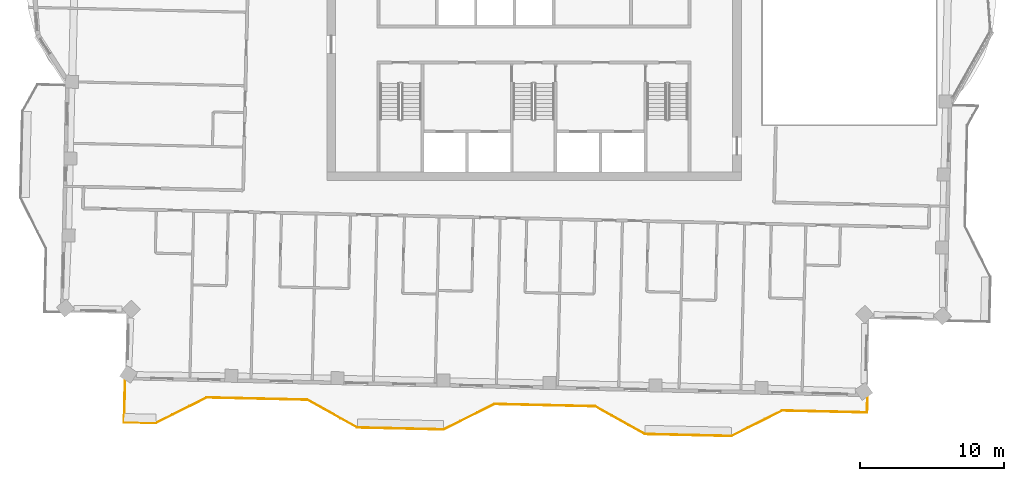
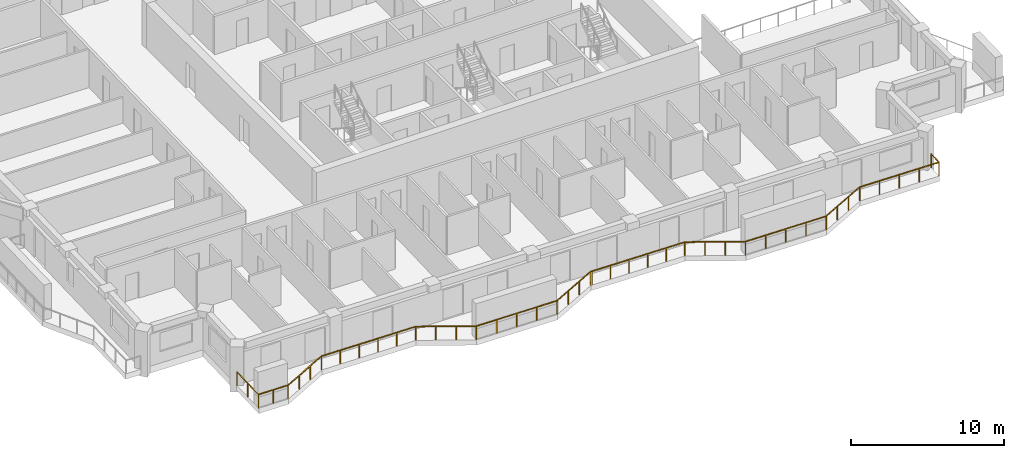
# One storey, part 13 of 15: 1 railing.
"""IFC4 building model written with IfcOpenShell, lengths in metres."""

from ifc_helpers import new_model, si_unit, direction, frame, origin, origin_2d, place, context, subcontext, project, spatial, rectangle, extrude, material, type_object, element, save


model = new_model("IFC4")

# Units and contexts
model_context = context("Model", 3, precision=1e-05, world=origin(), true_north=direction((0.0, 1.0)))
body_context = subcontext(model_context, "Body", "Model", "MODEL_VIEW")
ifc_project = project(units=[si_unit("LENGTHUNIT", "METRE"), si_unit("AREAUNIT", "SQUARE_METRE"), si_unit("VOLUMEUNIT", "CUBIC_METRE"), si_unit("PLANEANGLEUNIT", "RADIAN"), si_unit("MASSUNIT", "GRAM", prefix="KILO")], contexts=[model_context])

# Site, building, storey
site_placement = place(None, origin())
site = spatial("IfcSite", under=ifc_project, at=site_placement, CompositionType="ELEMENT")
building_placement = place(site_placement, origin())
building = spatial("IfcBuilding", under=site, at=building_placement, Name="Mangrove Gate Tower", CompositionType="ELEMENT")
storey_placement = place(building_placement, frame((0.0, 0.0, 309.699951171875)))
storey = spatial("IfcBuildingStorey", under=building, at=storey_placement, Name="L79", CompositionType="ELEMENT", Elevation=309.699951171875)

# Railing
ifc_material = material(Name="Stainless steel grade 316 with laminated glass infill", Category="steel")
railing_type = type_object("IfcRailingType", Name="Balcony guard 1100", PredefinedType="GUARDRAIL", material=ifc_material)
railing_placement = place(storey_placement, frame((-28.41796875, -25.2890625, 0.0)))
element("IfcRailing", 1, at=railing_placement, inside=storey, type_object=railing_type, Name="GUARD L79 S1", PredefinedType="GUARDRAIL", context=body_context, shape_type="SweptSolid", body=[
    extrude(rectangle(XDim=0.048095703125, YDim=0.048095703125, at=origin_2d()), frame((0.0, 0.0, 1.076171875), z_axis=(-0.022654696127, -0.999743349437, 0.0), x_axis=(0.999743349437, -0.022654696127, 0.0)), (0.0, 0.0, 1.0), 2.90966796875),
    extrude(rectangle(XDim=0.048095703125, YDim=0.048095703125, at=origin_2d()), frame((-0.06591796875, -2.908935546875, 1.076171875), z_axis=(0.999741090068, -0.022754182687, 0.0), x_axis=(0.022754182687, 0.999741090068, 0.0)), (0.0, 0.0, 1.0), 2.199462890625),
    extrude(rectangle(XDim=0.048095703125, YDim=0.048095703125, at=origin_2d()), frame((2.133056640625, -2.958984375, 1.076171875), z_axis=(0.894525821107, 0.447016280881, 0.0), x_axis=(-0.447016280881, 0.894525821107, 0.0)), (0.0, 0.0, 1.0), 3.959716796875),
    extrude(rectangle(XDim=0.048095703125, YDim=0.048095703125, at=origin_2d()), frame((5.675048828125, -1.18896484375, 1.076171875), z_axis=(0.999745334946, -0.022566906176, 0.0), x_axis=(0.022566906176, 0.999745334946, 0.0)), (0.0, 0.0, 1.0), 6.99951171875),
    extrude(rectangle(XDim=0.048095703125, YDim=0.048095703125, at=origin_2d()), frame((12.6728515625, -1.346923828125, 1.076171875), z_axis=(0.87325689943, -0.48726008209, 0.0), x_axis=(0.48726008209, 0.87325689943, 0.0)), (0.0, 0.0, 1.0), 3.958740234375),
    extrude(rectangle(XDim=0.048095703125, YDim=0.048095703125, at=origin_2d()), frame((16.1298828125, -3.27587890625, 1.076171875), z_axis=(0.999743094499, -0.022665943652, 0.0), x_axis=(0.022665943652, 0.999743094499, 0.0)), (0.0, 0.0, 1.0), 5.99951171875),
    extrude(rectangle(XDim=0.048095703125, YDim=0.048095703125, at=origin_2d()), frame((22.1279296875, -3.411865234375, 1.076171875), z_axis=(0.894476522376, 0.447114919141, 0.0), x_axis=(-0.447114919141, 0.894476522376, 0.0)), (0.0, 0.0, 1.0), 3.958740234375),
    extrude(rectangle(XDim=0.048095703125, YDim=0.048095703125, at=origin_2d()), frame((25.6689453125, -1.641845703125, 1.076171875), z_axis=(0.999497701731, -0.031691390543, 0.0), x_axis=(0.031691390543, 0.999497701731, 0.0)), (0.0, 0.0, 1.0), 0.10009765625),
    extrude(rectangle(XDim=0.048095703125, YDim=0.048095703125, at=origin_2d()), frame((25.76904296875, -1.64501953125, 1.076171875), z_axis=(0.999744422651, -0.022607285939, 0.0), x_axis=(0.022607285939, 0.999744422651, 0.0)), (0.0, 0.0, 1.0), 6.900634765625),
    extrude(rectangle(XDim=0.048095703125, YDim=0.048095703125, at=origin_2d()), frame((32.66796875, -1.801025390625, 1.076171875), z_axis=(0.87325689943, -0.48726008209, 0.0), x_axis=(0.48726008209, 0.87325689943, 0.0)), (0.0, 0.0, 1.0), 3.958740234375),
    extrude(rectangle(XDim=0.048095703125, YDim=0.048095703125, at=origin_2d()), frame((36.125, -3.72998046875, 1.076171875), z_axis=(0.999743094499, -0.022665943652, 0.0), x_axis=(0.022665943652, 0.999743094499, 0.0)), (0.0, 0.0, 1.0), 5.99951171875),
    extrude(rectangle(XDim=0.048095703125, YDim=0.048095703125, at=origin_2d()), frame((42.123046875, -3.865966796875, 1.076171875), z_axis=(0.894476522376, 0.447114919141, 0.0), x_axis=(-0.447114919141, 0.894476522376, 0.0)), (0.0, 0.0, 1.0), 3.958740234375),
    extrude(rectangle(XDim=0.048095703125, YDim=0.048095703125, at=origin_2d()), frame((45.6640625, -2.095947265625, 1.076171875), z_axis=(0.999741963696, -0.022715765999, 0.0), x_axis=(0.022715765999, 0.999741963696, 0.0)), (0.0, 0.0, 1.0), 5.900390625),
    extrude(rectangle(XDim=0.048095703125, YDim=0.048095703125, at=origin_2d()), frame((51.56298828125, -2.22998046875, 1.076171875), z_axis=(0.022564497502, 0.999745389313, 0.0), x_axis=(-0.999745389313, 0.022564497502, 0.0)), (0.0, 0.0, 1.0), 1.060302734375),
    extrude(rectangle(XDim=0.0419921875, YDim=0.0419921875, at=origin_2d()), origin(), (0.0, 0.0, 1.0), 1.052001953125),
    extrude(rectangle(XDim=0.0419921875, YDim=0.0419921875, at=origin_2d()), frame((-0.032958984375, -1.45458984375, 0.0)), (0.0, 0.0, 1.0), 1.052001953125),
    extrude(rectangle(XDim=0.0419921875, YDim=0.0419921875, at=origin_2d()), frame((-0.06591796875, -2.908935546875, 0.0)), (0.0, 0.0, 1.0), 1.052001953125),
    extrude(rectangle(XDim=0.0419921875, YDim=0.0419921875, at=origin_2d()), frame((1.03369140625, -2.93408203125, 0.0)), (0.0, 0.0, 1.0), 1.052001953125),
    extrude(rectangle(XDim=0.0419921875, YDim=0.0419921875, at=origin_2d()), frame((2.133056640625, -2.958984375, 0.0)), (0.0, 0.0, 1.0), 1.052001953125),
    extrude(rectangle(XDim=0.0419921875, YDim=0.0419921875, at=origin_2d()), frame((3.313720703125, -2.368896484375, 0.0)), (0.0, 0.0, 1.0), 1.052001953125),
    extrude(rectangle(XDim=0.0419921875, YDim=0.0419921875, at=origin_2d()), frame((4.494384765625, -1.779052734375, 0.0)), (0.0, 0.0, 1.0), 1.052001953125),
    extrude(rectangle(XDim=0.0419921875, YDim=0.0419921875, at=origin_2d()), frame((5.675048828125, -1.18896484375, 0.0)), (0.0, 0.0, 1.0), 1.052001953125),
    extrude(rectangle(XDim=0.0419921875, YDim=0.0419921875, at=origin_2d()), frame((7.07470703125, -1.220458984375, 0.0)), (0.0, 0.0, 1.0), 1.052001953125),
    extrude(rectangle(XDim=0.0419921875, YDim=0.0419921875, at=origin_2d()), frame((8.47412109375, -1.252197265625, 0.0)), (0.0, 0.0, 1.0), 1.052001953125),
    extrude(rectangle(XDim=0.0419921875, YDim=0.0419921875, at=origin_2d()), frame((9.873779296875, -1.28369140625, 0.0)), (0.0, 0.0, 1.0), 1.052001953125),
    extrude(rectangle(XDim=0.0419921875, YDim=0.0419921875, at=origin_2d()), frame((11.273193359375, -1.3154296875, 0.0)), (0.0, 0.0, 1.0), 1.052001953125),
    extrude(rectangle(XDim=0.0419921875, YDim=0.0419921875, at=origin_2d()), frame((12.6728515625, -1.346923828125, 0.0)), (0.0, 0.0, 1.0), 1.052001953125),
    extrude(rectangle(XDim=0.0419921875, YDim=0.0419921875, at=origin_2d()), frame((13.8251953125, -1.989990234375, 0.0)), (0.0, 0.0, 1.0), 1.052001953125),
    extrude(rectangle(XDim=0.0419921875, YDim=0.0419921875, at=origin_2d()), frame((14.9775390625, -2.6328125, 0.0)), (0.0, 0.0, 1.0), 1.052001953125),
    extrude(rectangle(XDim=0.0419921875, YDim=0.0419921875, at=origin_2d()), frame((16.1298828125, -3.27587890625, 0.0)), (0.0, 0.0, 1.0), 1.052001953125),
    extrude(rectangle(XDim=0.0419921875, YDim=0.0419921875, at=origin_2d()), frame((17.62939453125, -3.309814453125, 0.0)), (0.0, 0.0, 1.0), 1.052001953125),
    extrude(rectangle(XDim=0.0419921875, YDim=0.0419921875, at=origin_2d()), frame((19.12890625, -3.34375, 0.0)), (0.0, 0.0, 1.0), 1.052001953125),
    extrude(rectangle(XDim=0.0419921875, YDim=0.0419921875, at=origin_2d()), frame((20.62841796875, -3.3779296875, 0.0)), (0.0, 0.0, 1.0), 1.052001953125),
    extrude(rectangle(XDim=0.0419921875, YDim=0.0419921875, at=origin_2d()), frame((22.1279296875, -3.411865234375, 0.0)), (0.0, 0.0, 1.0), 1.052001953125),
    extrude(rectangle(XDim=0.0419921875, YDim=0.0419921875, at=origin_2d()), frame((23.308349609375, -2.82177734375, 0.0)), (0.0, 0.0, 1.0), 1.052001953125),
    extrude(rectangle(XDim=0.0419921875, YDim=0.0419921875, at=origin_2d()), frame((24.488525390625, -2.23193359375, 0.0)), (0.0, 0.0, 1.0), 1.052001953125),
    extrude(rectangle(XDim=0.0419921875, YDim=0.0419921875, at=origin_2d()), frame((25.6689453125, -1.641845703125, 0.0)), (0.0, 0.0, 1.0), 1.052001953125),
    extrude(rectangle(XDim=0.0419921875, YDim=0.0419921875, at=origin_2d()), frame((25.76904296875, -1.64501953125, 0.0)), (0.0, 0.0, 1.0), 1.052001953125),
    extrude(rectangle(XDim=0.0419921875, YDim=0.0419921875, at=origin_2d()), frame((27.14892578125, -1.67626953125, 0.0)), (0.0, 0.0, 1.0), 1.052001953125),
    extrude(rectangle(XDim=0.0419921875, YDim=0.0419921875, at=origin_2d()), frame((28.528564453125, -1.70751953125, 0.0)), (0.0, 0.0, 1.0), 1.052001953125),
    extrude(rectangle(XDim=0.0419921875, YDim=0.0419921875, at=origin_2d()), frame((29.908447265625, -1.738525390625, 0.0)), (0.0, 0.0, 1.0), 1.052001953125),
    extrude(rectangle(XDim=0.0419921875, YDim=0.0419921875, at=origin_2d()), frame((31.2880859375, -1.769775390625, 0.0)), (0.0, 0.0, 1.0), 1.052001953125),
    extrude(rectangle(XDim=0.0419921875, YDim=0.0419921875, at=origin_2d()), frame((32.66796875, -1.801025390625, 0.0)), (0.0, 0.0, 1.0), 1.052001953125),
    extrude(rectangle(XDim=0.0419921875, YDim=0.0419921875, at=origin_2d()), frame((33.8203125, -2.444091796875, 0.0)), (0.0, 0.0, 1.0), 1.052001953125),
    extrude(rectangle(XDim=0.0419921875, YDim=0.0419921875, at=origin_2d()), frame((34.97265625, -3.0869140625, 0.0)), (0.0, 0.0, 1.0), 1.052001953125),
    extrude(rectangle(XDim=0.0419921875, YDim=0.0419921875, at=origin_2d()), frame((36.125, -3.72998046875, 0.0)), (0.0, 0.0, 1.0), 1.052001953125),
    extrude(rectangle(XDim=0.0419921875, YDim=0.0419921875, at=origin_2d()), frame((37.62451171875, -3.763916015625, 0.0)), (0.0, 0.0, 1.0), 1.052001953125),
    extrude(rectangle(XDim=0.0419921875, YDim=0.0419921875, at=origin_2d()), frame((39.1240234375, -3.7978515625, 0.0)), (0.0, 0.0, 1.0), 1.052001953125),
    extrude(rectangle(XDim=0.0419921875, YDim=0.0419921875, at=origin_2d()), frame((40.62353515625, -3.83203125, 0.0)), (0.0, 0.0, 1.0), 1.052001953125),
    extrude(rectangle(XDim=0.0419921875, YDim=0.0419921875, at=origin_2d()), frame((42.123046875, -3.865966796875, 0.0)), (0.0, 0.0, 1.0), 1.052001953125),
    extrude(rectangle(XDim=0.0419921875, YDim=0.0419921875, at=origin_2d()), frame((43.303466796875, -3.27587890625, 0.0)), (0.0, 0.0, 1.0), 1.052001953125),
    extrude(rectangle(XDim=0.0419921875, YDim=0.0419921875, at=origin_2d()), frame((44.483642578125, -2.68603515625, 0.0)), (0.0, 0.0, 1.0), 1.052001953125),
    extrude(rectangle(XDim=0.0419921875, YDim=0.0419921875, at=origin_2d()), frame((45.6640625, -2.095947265625, 0.0)), (0.0, 0.0, 1.0), 1.052001953125),
    extrude(rectangle(XDim=0.0419921875, YDim=0.0419921875, at=origin_2d()), frame((47.138671875, -2.12939453125, 0.0)), (0.0, 0.0, 1.0), 1.052001953125),
    extrude(rectangle(XDim=0.0419921875, YDim=0.0419921875, at=origin_2d()), frame((48.613525390625, -2.1630859375, 0.0)), (0.0, 0.0, 1.0), 1.052001953125),
    extrude(rectangle(XDim=0.0419921875, YDim=0.0419921875, at=origin_2d()), frame((50.08837890625, -2.196533203125, 0.0)), (0.0, 0.0, 1.0), 1.052001953125),
    extrude(rectangle(XDim=0.0419921875, YDim=0.0419921875, at=origin_2d()), frame((51.56298828125, -2.22998046875, 0.0)), (0.0, 0.0, 1.0), 1.052001953125),
    extrude(rectangle(XDim=0.0419921875, YDim=0.0419921875, at=origin_2d()), frame((51.5869140625, -1.169921875, 0.0)), (0.0, 0.0, 1.0), 1.052001953125),
])

save(model, "model.ifc")
